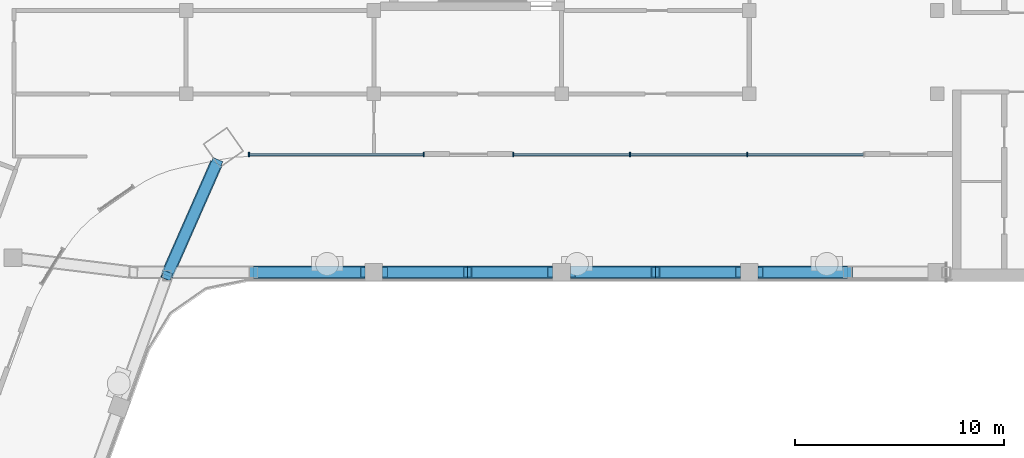
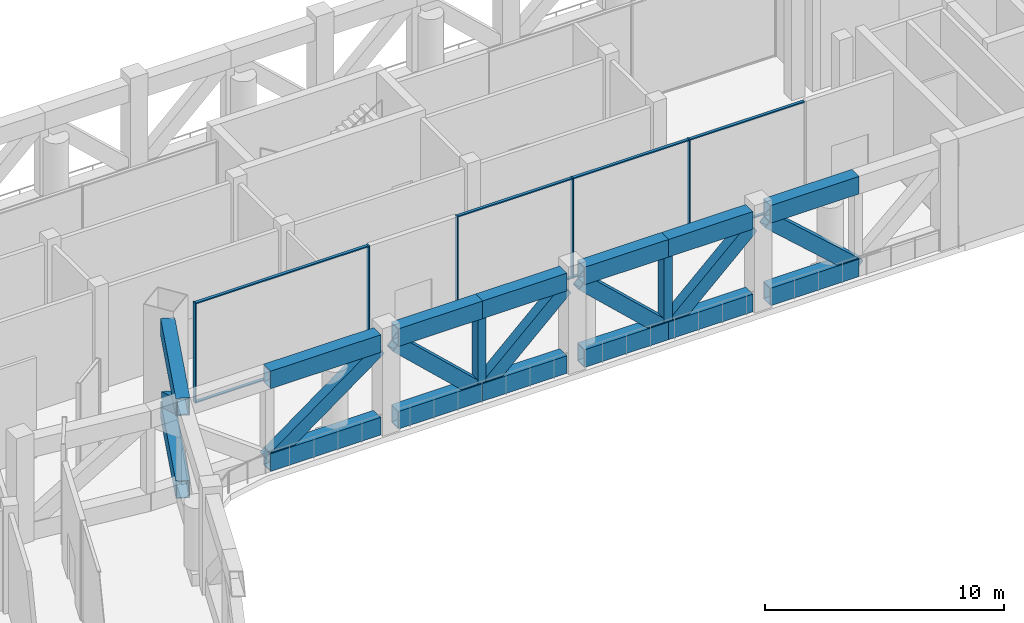
# One storey, part 4 of 19: 36 members, 2 elements without a shape of their own.
"""IFC4 building model written with IfcOpenShell, lengths in metres."""

import ifcopenshell
import ifcopenshell.guid

model = None  # the IFC model being written
_history = None  # IfcOwnerHistory: only IFC2X3 demands one
_inside = {}  # id of a spatial element -> (the spatial element, [elements in it])
_under = {}  # id of a project, library or spatial element -> (it, [spatial elements below it])
_declared = {}  # id of a project -> (the project, [libraries it declares])
_typed = {}  # id of a type object -> (the type object, [elements of that type])
_made_of = {}  # id of a material, layer set ... -> (it, [elements and type objects made of it])


def new_model(schema):
    """Start an empty IFC model of exactly this schema.

    Asked for "IFC4X3", IfcOpenShell would pick the latest addendum, in which some entities
    have other attributes; the version numbers below select the first issue.
    IFC2X3 requires an IfcOwnerHistory on every rooted entity: one is made here for all.
    """
    global model, _history
    if schema == "IFC4X3":
        model = ifcopenshell.file(schema_version=(4, 3, 0, 0))
    else:
        model = ifcopenshell.file(schema=schema)
    _inside.clear()
    _under.clear()
    _declared.clear()
    _typed.clear()
    _made_of.clear()
    _history = None
    if model.schema == "IFC2X3":
        org = make("IfcOrganization", Name="unknown")
        user = make(
            "IfcPersonAndOrganization",
            ThePerson=make("IfcPerson", FamilyName="unknown"),
            TheOrganization=org,
        )
        app = make(
            "IfcApplication",
            ApplicationDeveloper=org,
            Version="unknown",
            ApplicationFullName="unknown",
            ApplicationIdentifier="unknown",
        )
        _history = make(
            "IfcOwnerHistory",
            OwningUser=user,
            OwningApplication=app,
            ChangeAction="ADDED",
            CreationDate=0,
        )
    return model


def make(cls, **values):
    """One entity of the class cls with the attributes given. An attribute that is None is left unset."""
    return model.create_entity(
        cls, **{name: value for name, value in values.items() if value is not None}
    )


def rooted(cls, **values):
    """An entity with a GlobalId (a new one), such as an element, a storey or a relation."""
    return make(cls, GlobalId=ifcopenshell.guid.new(), OwnerHistory=_history, **values)


def si_unit(unit_type, name, prefix=None):
    """IfcSIUnit, for example si_unit("LENGTHUNIT", "METRE", prefix="MILLI")."""
    return make("IfcSIUnit", UnitType=unit_type, Prefix=prefix, Name=name)


def assignment(units):
    """IfcUnitAssignment: the units of a project."""
    return None if units is None else make("IfcUnitAssignment", Units=units)


def point(xyz):
    """IfcCartesianPoint."""
    return None if xyz is None else make("IfcCartesianPoint", Coordinates=xyz)


def direction(xyz):
    """IfcDirection."""
    return None if xyz is None else make("IfcDirection", DirectionRatios=xyz)


def frame(location, z_axis=None, x_axis=None):
    """IfcAxis2Placement3D, a coordinate frame: its origin and axes. An axis left out is left unset."""
    return make(
        "IfcAxis2Placement3D",
        Location=point(location),
        Axis=direction(z_axis),
        RefDirection=direction(x_axis),
    )


def frame_2d(location, x_axis=None):
    """IfcAxis2Placement2D, a coordinate frame in the plane: its origin and x axis."""
    return make(
        "IfcAxis2Placement2D", Location=point(location), RefDirection=direction(x_axis)
    )


def origin():
    """The frame at (0, 0, 0) with its axes left unset."""
    return frame((0.0, 0.0, 0.0))


def origin_2d():
    """The frame at (0, 0) in the plane with its x axis left unset."""
    return frame_2d((0.0, 0.0))


def place(relative_to, where):
    """IfcLocalPlacement: puts the frame where relative to a parent placement (None: the world)."""
    return make(
        "IfcLocalPlacement", PlacementRelTo=relative_to, RelativePlacement=where
    )


def context(
    kind, dimensions, precision=None, world=None, true_north=None, identifier=None
):
    """IfcGeometricRepresentationContext, for example the 3D "Model" context."""
    return make(
        "IfcGeometricRepresentationContext",
        ContextIdentifier=identifier,
        ContextType=kind,
        CoordinateSpaceDimension=dimensions,
        Precision=precision,
        WorldCoordinateSystem=world,
        TrueNorth=true_north,
    )


def subcontext(parent, identifier, kind, view, scale=None):
    """IfcGeometricRepresentationSubContext, for example "Body" below "Model"."""
    return make(
        "IfcGeometricRepresentationSubContext",
        ContextIdentifier=identifier,
        ContextType=kind,
        ParentContext=parent,
        TargetScale=scale,
        TargetView=view,
    )


def project(units=None, contexts=None):
    """IfcProject with its units and contexts."""
    return rooted(
        "IfcProject",
        Name="project",
        RepresentationContexts=contexts,
        UnitsInContext=assignment(units),
    )


def spatial(cls, under=None, at=None, **own):
    """A site, building, storey or space (cls), placed at a placement, below another one or the project."""
    s = rooted(cls, ObjectPlacement=at, **own)
    if under is not None:
        _under.setdefault(under.id(), (under, []))[1].append(s)
    return s


def profile(cls, at=None, kind="AREA", **sizes):
    """A parametric profile (cls). Its sizes go by their IFC names, for example OverallWidth=200.0."""
    return make(cls, ProfileType=kind, Position=at, **sizes)


def rectangle(**sizes):
    """IfcRectangleProfileDef."""
    return profile("IfcRectangleProfileDef", **sizes)


def hollow_rectangle(**sizes):
    """IfcRectangleHollowProfileDef."""
    return profile("IfcRectangleHollowProfileDef", **sizes)


def extrude(swept, where, along, depth):
    """IfcExtrudedAreaSolid: the profile swept, set in the frame where, extruded along a direction by depth."""
    return make(
        "IfcExtrudedAreaSolid",
        SweptArea=swept,
        Position=where,
        ExtrudedDirection=direction(along),
        Depth=depth,
    )


def shape(context_of_items, identifier, shape_type, items):
    """IfcShapeRepresentation: the items that make up one representation, for example the "Body"."""
    return make(
        "IfcShapeRepresentation",
        ContextOfItems=context_of_items,
        RepresentationIdentifier=identifier,
        RepresentationType=shape_type,
        Items=items,
    )


def material(Name=None, Category=None):
    """IfcMaterial."""
    return make("IfcMaterial", Name=Name, Category=Category)


def material_profile(
    of_material, cross_section, Name=None, Category=None, Priority=None
):
    """IfcMaterialProfile: a cross section and its material."""
    return make(
        "IfcMaterialProfile",
        Name=Name,
        Material=of_material,
        Profile=cross_section,
        Priority=Priority,
        Category=Category,
    )


def profile_set(profiles, Name=None, composite=None):
    """IfcMaterialProfileSet."""
    return make(
        "IfcMaterialProfileSet",
        Name=Name,
        MaterialProfiles=profiles,
        CompositeProfile=composite,
    )


def made_of(thing, what):
    """Note that an element or type object is made of a material, layer set ...; save() writes the relation."""
    if what is not None:
        _made_of.setdefault(what.id(), (what, []))[1].append(thing)
    return thing


def type_object(cls, material=None, **own):
    """A type object (cls), such as IfcWallType, which elements share."""
    return made_of(rooted(cls, **own), material)


def element(
    cls,
    number,
    at=None,
    inside=None,
    cuts=None,
    type_object=None,
    material=None,
    context=None,
    identifier="Body",
    shape_type=None,
    held_by="IfcProductDefinitionShape",
    body=None,
    shapes=None,
    **own,
):
    """One element of the class cls, such as IfcWall. Its Tag is "e" and its number.

    at: its placement. inside: the storey or other place that contains it. cuts: it is an
    opening in that element (IfcRelVoidsElement). A single representation is given by context,
    identifier, shape_type and body (its items); several are given by shapes. held_by: the class
    of the entity that holds the representations. save() writes the other relations.
    """
    e = rooted(cls, Tag="e%d" % number, ObjectPlacement=at, **own)
    if body is not None:
        shapes = [shape(context, identifier, shape_type, body)]
    if shapes is not None:
        e.Representation = make(held_by, Representations=shapes)
    if inside is not None:
        _inside.setdefault(inside.id(), (inside, []))[1].append(e)
    if cuts is not None:
        rooted(
            "IfcRelVoidsElement", RelatingBuildingElement=cuts, RelatedOpeningElement=e
        )
    if type_object is not None:
        _typed.setdefault(type_object.id(), (type_object, []))[1].append(e)
    return made_of(e, material)


def aggregate(whole, parts):
    """IfcRelAggregates: a whole, such as a stair, and the parts it consists of."""
    return rooted("IfcRelAggregates", RelatingObject=whole, RelatedObjects=parts)


def save(model, path):
    """Write the relations noted so far, then the file.

    IfcRelAggregates (storeys below a building ...), IfcRelContainedInSpatialStructure (elements
    in a storey), IfcRelDefinesByType, IfcRelAssociatesMaterial and IfcRelDeclares: one each for
    every whole, place, type object, material and project.
    """
    for whole, parts in _under.values():
        aggregate(whole, parts)
    for where, things in _inside.values():
        rooted(
            "IfcRelContainedInSpatialStructure",
            RelatedElements=things,
            RelatingStructure=where,
        )
    for kind, things in _typed.values():
        rooted("IfcRelDefinesByType", RelatedObjects=things, RelatingType=kind)
    for what, things in _made_of.values():
        rooted("IfcRelAssociatesMaterial", RelatedObjects=things, RelatingMaterial=what)
    for by, libraries in _declared.values():
        rooted("IfcRelDeclares", RelatingContext=by, RelatedDefinitions=libraries)
    model.write(path)


model = new_model("IFC4")

# Units and contexts
model_context = context("Model", 3, precision=1e-05, world=origin(), true_north=direction((0.0, 1.0)))
body_context = subcontext(model_context, "Body", "Model", "MODEL_VIEW")
ifc_project = project(units=[si_unit("LENGTHUNIT", "METRE"), si_unit("AREAUNIT", "SQUARE_METRE"), si_unit("VOLUMEUNIT", "CUBIC_METRE"), si_unit("PLANEANGLEUNIT", "RADIAN"), si_unit("MASSUNIT", "GRAM", prefix="KILO")], contexts=[model_context])

# Site, building, storey
site_placement = place(None, origin())
site = spatial("IfcSite", under=ifc_project, at=site_placement, CompositionType="ELEMENT")
building_placement = place(site_placement, origin())
building = spatial("IfcBuilding", under=site, at=building_placement, Name="Skarvind Civic Tower", CompositionType="ELEMENT")
storey_placement = place(building_placement, frame((0.0, 0.0, 129.0)))
storey = spatial("IfcBuildingStorey", under=building, at=storey_placement, Name="L30", CompositionType="ELEMENT", Elevation=129.0)

# Curtain wall, members
ifc_material_1 = material(Name="Aluminium alloy 6063 and laminated glass", Category="aluminium")
curtain_wall_type = type_object("IfcCurtainWallType", Name="CW3 SEPARATOR INNER GLAZING", PredefinedType="NOTDEFINED", material=ifc_material_1)
curtain_wall_1_placement = place(storey_placement, origin())
curtain_wall_1 = element("IfcCurtainWall", 1, at=curtain_wall_1_placement, inside=storey, type_object=curtain_wall_type, Name="SEPARATOR INNER GLAZING", PredefinedType="NOTDEFINED")
ifc_material_2 = material(Name="Aluminium alloy 6063", Category="aluminium")
ifc_material_profile_1 = material_profile(ifc_material_2, rectangle(XDim=0.199951171875, YDim=0.06005859375, at=origin_2d()), Name="AL 60x200")
ifc_profile_set_1 = profile_set([ifc_material_profile_1], Name="Aluminium alloy 6063")
member_type_1 = type_object("IfcMemberType", Name="CW3 MULLION 60x200", PredefinedType="MULLION", material=ifc_profile_set_1)
member_1_placement = place(storey_placement, frame((81.15185546875, 123.10009765625, 0.0), z_axis=(0.0, 0.0, 1.0), x_axis=(0.0, -1.0, 0.0)))
member_1 = element("IfcMember", 2, at=member_1_placement, type_object=member_type_1, Name="CW3 mullion 2", PredefinedType="MULLION", context=body_context, shape_type="SweptSolid", body=[
    extrude(rectangle(XDim=0.199951171875, YDim=0.06005859375, at=origin_2d()), origin(), (0.0, 0.0, 1.0), 5.125),
])
member_2_placement = place(storey_placement, frame((75.5244140625, 123.10009765625, 0.0), z_axis=(0.0, 0.0, 1.0), x_axis=(0.0, -1.0, 0.0)))
member_2 = element("IfcMember", 3, at=member_2_placement, type_object=member_type_1, Name="CW3 mullion 3", PredefinedType="MULLION", context=body_context, shape_type="SweptSolid", body=[
    extrude(rectangle(XDim=0.199951171875, YDim=0.06005859375, at=origin_2d()), origin(), (0.0, 0.0, 1.0), 5.125),
])
member_3_placement = place(storey_placement, frame((69.927001953125, 123.10009765625, 0.0), z_axis=(0.0, 0.0, 1.0), x_axis=(0.0, -1.0, 0.0)))
member_3 = element("IfcMember", 4, at=member_3_placement, type_object=member_type_1, Name="CW3 mullion 4", PredefinedType="MULLION", context=body_context, shape_type="SweptSolid", body=[
    extrude(rectangle(XDim=0.199951171875, YDim=0.06005859375, at=origin_2d()), origin(), (0.0, 0.0, 1.0), 5.125),
])

curtain_wall_2_placement = place(storey_placement, origin())
curtain_wall_2 = element("IfcCurtainWall", 5, at=curtain_wall_2_placement, inside=storey, type_object=curtain_wall_type, Name="SEPARATOR INNER GLAZING", PredefinedType="NOTDEFINED")
member_4_placement = place(storey_placement, frame((65.646240234375, 123.10009765625, 0.0), z_axis=(0.0, 0.0, 1.0), x_axis=(0.0, -1.0, 0.0)))
member_4 = element("IfcMember", 6, at=member_4_placement, type_object=member_type_1, Name="CW3 mullion 1", PredefinedType="MULLION", context=body_context, shape_type="SweptSolid", body=[
    extrude(rectangle(XDim=0.199951171875, YDim=0.06005859375, at=origin_2d()), origin(), (0.0, 0.0, 1.0), 5.125),
])
member_5_placement = place(storey_placement, frame((57.26513671875, 123.10009765625, 0.0), z_axis=(0.0, 0.0, 1.0), x_axis=(0.0, -1.0, 0.0)))
member_5 = element("IfcMember", 7, at=member_5_placement, type_object=member_type_1, Name="CW3 mullion 2", PredefinedType="MULLION", context=body_context, shape_type="SweptSolid", body=[
    extrude(rectangle(XDim=0.199951171875, YDim=0.06005859375, at=origin_2d()), origin(), (0.0, 0.0, 1.0), 5.125),
])

# Member
ifc_material_profile_2 = material_profile(ifc_material_2, rectangle(XDim=0.139892578125, YDim=0.06005859375, at=origin_2d()), Name="AL 60x140")
ifc_profile_set_2 = profile_set([ifc_material_profile_2], Name="Aluminium alloy 6063")
member_type_2 = type_object("IfcMemberType", Name="CW3 TRANSOM 60x140", PredefinedType="USERDEFINED", material=ifc_profile_set_2)
member_6_placement = place(storey_placement, frame((86.719482421875, 123.10009765625, 0.030029296875), z_axis=(-1.0, 0.0, 0.0), x_axis=(0.0, -1.0, 0.0)))
member_6 = element("IfcMember", 8, at=member_6_placement, type_object=member_type_2, Name="CW3 transom 1.1", ObjectType="TRANSOM", PredefinedType="USERDEFINED", context=body_context, shape_type="SweptSolid", body=[
    extrude(rectangle(XDim=0.139892578125, YDim=0.06005859375, at=origin_2d()), origin(), (0.0, 0.0, 1.0), 5.53759765625),
])

member_7_placement = place(storey_placement, frame((86.719482421875, 123.10009765625, 5.094970703125), z_axis=(-1.0, 0.0, 0.0), x_axis=(0.0, -1.0, 0.0)))
member_7 = element("IfcMember", 9, at=member_7_placement, type_object=member_type_2, Name="CW3 transom 1.2", ObjectType="TRANSOM", PredefinedType="USERDEFINED", context=body_context, shape_type="SweptSolid", body=[
    extrude(rectangle(XDim=0.139892578125, YDim=0.06005859375, at=origin_2d()), origin(), (0.0, 0.0, 1.0), 5.53759765625),
])

member_8_placement = place(storey_placement, frame((81.121826171875, 123.10009765625, 0.030029296875), z_axis=(-1.0, 0.0, 0.0), x_axis=(0.0, -1.0, 0.0)))
member_8 = element("IfcMember", 10, at=member_8_placement, type_object=member_type_2, Name="CW3 transom 2.1", ObjectType="TRANSOM", PredefinedType="USERDEFINED", context=body_context, shape_type="SweptSolid", body=[
    extrude(rectangle(XDim=0.139892578125, YDim=0.06005859375, at=origin_2d()), origin(), (0.0, 0.0, 1.0), 5.5673828125),
])

member_9_placement = place(storey_placement, frame((81.121826171875, 123.10009765625, 5.094970703125), z_axis=(-1.0, 0.0, 0.0), x_axis=(0.0, -1.0, 0.0)))
member_9 = element("IfcMember", 11, at=member_9_placement, type_object=member_type_2, Name="CW3 transom 2.2", ObjectType="TRANSOM", PredefinedType="USERDEFINED", context=body_context, shape_type="SweptSolid", body=[
    extrude(rectangle(XDim=0.139892578125, YDim=0.06005859375, at=origin_2d()), origin(), (0.0, 0.0, 1.0), 5.5673828125),
])

member_10_placement = place(storey_placement, frame((75.494384765625, 123.10009765625, 0.030029296875), z_axis=(-1.0, 0.0, 0.0), x_axis=(0.0, -1.0, 0.0)))
member_10 = element("IfcMember", 12, at=member_10_placement, type_object=member_type_2, Name="CW3 transom 3.1", ObjectType="TRANSOM", PredefinedType="USERDEFINED", context=body_context, shape_type="SweptSolid", body=[
    extrude(rectangle(XDim=0.139892578125, YDim=0.06005859375, at=origin_2d()), origin(), (0.0, 0.0, 1.0), 5.53759765625),
])

member_11_placement = place(storey_placement, frame((75.494384765625, 123.10009765625, 5.094970703125), z_axis=(-1.0, 0.0, 0.0), x_axis=(0.0, -1.0, 0.0)))
member_11 = element("IfcMember", 13, at=member_11_placement, type_object=member_type_2, Name="CW3 transom 3.2", ObjectType="TRANSOM", PredefinedType="USERDEFINED", context=body_context, shape_type="SweptSolid", body=[
    extrude(rectangle(XDim=0.139892578125, YDim=0.06005859375, at=origin_2d()), origin(), (0.0, 0.0, 1.0), 5.53759765625),
])

aggregate(curtain_wall_1, [member_1, member_2, member_3, member_6, member_7, member_8, member_9, member_10, member_11])

member_12_placement = place(storey_placement, frame((65.6162109375, 123.10009765625, 0.030029296875), z_axis=(-1.0, 0.0, 0.0), x_axis=(0.0, -1.0, 0.0)))
member_12 = element("IfcMember", 14, at=member_12_placement, type_object=member_type_2, Name="CW3 transom 1.1", ObjectType="TRANSOM", PredefinedType="USERDEFINED", context=body_context, shape_type="SweptSolid", body=[
    extrude(rectangle(XDim=0.139892578125, YDim=0.06005859375, at=origin_2d()), origin(), (0.0, 0.0, 1.0), 8.321044921875),
])

member_13_placement = place(storey_placement, frame((65.6162109375, 123.10009765625, 5.094970703125), z_axis=(-1.0, 0.0, 0.0), x_axis=(0.0, -1.0, 0.0)))
member_13 = element("IfcMember", 15, at=member_13_placement, type_object=member_type_2, Name="CW3 transom 1.2", ObjectType="TRANSOM", PredefinedType="USERDEFINED", context=body_context, shape_type="SweptSolid", body=[
    extrude(rectangle(XDim=0.139892578125, YDim=0.06005859375, at=origin_2d()), origin(), (0.0, 0.0, 1.0), 8.321044921875),
])

aggregate(curtain_wall_2, [member_4, member_5, member_12, member_13])

# Members
ifc_material_3 = material(Name="Steel SM355", Category="steel")
ifc_material_profile_3 = material_profile(ifc_material_3, hollow_rectangle(XDim=0.60009765625, YDim=0.89990234375, WallThickness=0.0400390625, at=origin_2d()), Name="BOX-900x600x40")
ifc_profile_set_3 = profile_set([ifc_material_profile_3], Name="Steel SM355")
member_type_3 = type_object("IfcMemberType", Name="Truss chord BOX-900x600x40 SM355", PredefinedType="CHORD", material=ifc_profile_set_3)
for number, where, z_axis, x_axis, name in (
    (16, (57.48388671875, 117.449951171875, 0.449951171875), (1.0, 0.0, 0.0), (0.0, 1.0, 0.0), "Outrigger truss L30 W1S chord"),
    (17, (57.48388671875, 117.449951171875, 4.675048828125), (1.0, 0.0, 0.0), (0.0, 1.0, 0.0), "Outrigger truss L30 W1S chord"),
):
    element("IfcMember", number, at=place(storey_placement, frame(where, z_axis=z_axis, x_axis=x_axis)), inside=storey, type_object=member_type_3, Name=name, PredefinedType="CHORD", context=body_context, shape_type="SweptSolid", body=[
        extrude(hollow_rectangle(XDim=0.60009765625, YDim=0.89990234375, WallThickness=0.0400390625, at=origin_2d()), origin(), (0.0, 0.0, 1.0), 5.341064453125),
    ])
for number, where, z_axis, x_axis, name in (
    (18, (63.675048828125, 117.449951171875, 0.449951171875), (1.0, 0.0, 0.0), (0.0, 1.0, 0.0), "Outrigger truss L30 W1S chord"),
    (19, (63.675048828125, 117.449951171875, 4.675048828125), (1.0, 0.0, 0.0), (0.0, 1.0, 0.0), "Outrigger truss L30 W1S chord"),
    (20, (67.75, 117.449951171875, 0.449951171875), (1.0, 0.0, 0.0), (0.0, 1.0, 0.0), "Outrigger truss L30 W1S chord"),
    (21, (67.75, 117.449951171875, 4.675048828125), (1.0, 0.0, 0.0), (0.0, 1.0, 0.0), "Outrigger truss L30 W1S chord"),
    (22, (72.675048828125, 117.449951171875, 0.449951171875), (1.0, 0.0, 0.0), (0.0, 1.0, 0.0), "Outrigger truss L30 W1S chord"),
    (23, (72.675048828125, 117.449951171875, 4.675048828125), (1.0, 0.0, 0.0), (0.0, 1.0, 0.0), "Outrigger truss L30 W1S chord"),
    (24, (76.75, 117.449951171875, 0.449951171875), (1.0, 0.0, 0.0), (0.0, 1.0, 0.0), "Outrigger truss L30 W1S chord"),
    (25, (76.75, 117.449951171875, 4.675048828125), (1.0, 0.0, 0.0), (0.0, 1.0, 0.0), "Outrigger truss L30 W1S chord"),
):
    element("IfcMember", number, at=place(storey_placement, frame(where, z_axis=z_axis, x_axis=x_axis)), inside=storey, type_object=member_type_3, Name=name, PredefinedType="CHORD", context=body_context, shape_type="SweptSolid", body=[
        extrude(hollow_rectangle(XDim=0.60009765625, YDim=0.89990234375, WallThickness=0.0400390625, at=origin_2d()), origin(), (0.0, 0.0, 1.0), 4.074951171875),
    ])
for number, where, z_axis, x_axis, name in (
    (26, (81.675048828125, 117.449951171875, 0.449951171875), (1.0, 0.0, 0.0), (0.0, 1.0, 0.0), "Outrigger truss L30 W1S chord"),
    (27, (81.675048828125, 117.449951171875, 4.675048828125), (1.0, 0.0, 0.0), (0.0, 1.0, 0.0), "Outrigger truss L30 W1S chord"),
):
    element("IfcMember", number, at=place(storey_placement, frame(where, z_axis=z_axis, x_axis=x_axis)), inside=storey, type_object=member_type_3, Name=name, PredefinedType="CHORD", context=body_context, shape_type="SweptSolid", body=[
        extrude(hollow_rectangle(XDim=0.60009765625, YDim=0.89990234375, WallThickness=0.0400390625, at=origin_2d()), origin(), (0.0, 0.0, 1.0), 4.287353515625),
    ])
for number, where, z_axis, x_axis, name in (
    (28, (55.7060546875, 122.68115234375, 0.449951171875), (-0.40345243765, -0.915000617789, 0.0), (0.915000617789, -0.40345243765, 0.0), "Outrigger truss L30 W2N chord"),
    (29, (55.7060546875, 122.68115234375, 4.675048828125), (-0.40345243765, -0.915000617789, 0.0), (0.915000617789, -0.40345243765, 0.0), "Outrigger truss L30 W2N chord"),
):
    element("IfcMember", number, at=place(storey_placement, frame(where, z_axis=z_axis, x_axis=x_axis)), inside=storey, type_object=member_type_3, Name=name, PredefinedType="CHORD", context=body_context, shape_type="SweptSolid", body=[
        extrude(hollow_rectangle(XDim=0.60009765625, YDim=0.89990234375, WallThickness=0.0400390625, at=origin_2d()), origin(), (0.0, 0.0, 1.0), 5.890380859375),
    ])
ifc_material_profile_4 = material_profile(ifc_material_3, hollow_rectangle(XDim=0.5, YDim=0.699951171875, WallThickness=0.028076171875, at=origin_2d()), Name="BOX-700x500x28")
ifc_profile_set_4 = profile_set([ifc_material_profile_4], Name="Steel SM355")
member_type_4 = type_object("IfcMemberType", Name="Truss diagonal BOX-700x500x28 SM355", PredefinedType="BRACE", material=ifc_profile_set_4)
member_14_placement = place(storey_placement, frame((57.48388671875, 117.449951171875, 0.449951171875), z_axis=(0.806635860233, 0.0, 0.591048719639), x_axis=(0.0, 1.0, 0.0)))
element("IfcMember", 30, at=member_14_placement, inside=storey, type_object=member_type_4, Name="Outrigger truss L30 W1S diagonal", PredefinedType="BRACE", context=body_context, shape_type="SweptSolid", body=[
    extrude(hollow_rectangle(XDim=0.5, YDim=0.699951171875, WallThickness=0.028076171875, at=origin_2d()), origin(), (0.0, 0.0, 1.0), 6.621337890625),
])
for number, where, z_axis, x_axis, name in (
    (31, (63.675048828125, 117.449951171875, 4.27587890625), (0.72903166448, 0.0, -0.684479972085), (0.0, 1.0, 0.0), "Outrigger truss L30 W1S diagonal"),
    (32, (67.75, 117.449951171875, 0.449951171875), (0.72903166448, 0.0, 0.684479972085), (0.0, 1.0, 0.0), "Outrigger truss L30 W1S diagonal"),
    (33, (72.675048828125, 117.449951171875, 4.27587890625), (0.72903166448, 0.0, -0.684479972085), (0.0, 1.0, 0.0), "Outrigger truss L30 W1S diagonal"),
    (34, (76.75, 117.449951171875, 0.449951171875), (0.72903166448, 0.0, 0.684479972085), (0.0, 1.0, 0.0), "Outrigger truss L30 W1S diagonal"),
):
    element("IfcMember", number, at=place(storey_placement, frame(where, z_axis=z_axis, x_axis=x_axis)), inside=storey, type_object=member_type_4, Name=name, PredefinedType="BRACE", context=body_context, shape_type="SweptSolid", body=[
        extrude(hollow_rectangle(XDim=0.5, YDim=0.699951171875, WallThickness=0.028076171875, at=origin_2d()), origin(), (0.0, 0.0, 1.0), 5.589599609375),
    ])
member_15_placement = place(storey_placement, frame((81.675048828125, 117.449951171875, 4.2939453125), z_axis=(0.744555633807, 0.0, -0.667560415368), x_axis=(0.0, 1.0, 0.0)))
element("IfcMember", 35, at=member_15_placement, inside=storey, type_object=member_type_4, Name="Outrigger truss L30 W1S diagonal", PredefinedType="BRACE", context=body_context, shape_type="SweptSolid", body=[
    extrude(hollow_rectangle(XDim=0.5, YDim=0.699951171875, WallThickness=0.028076171875, at=origin_2d()), origin(), (0.0, 0.0, 1.0), 5.75830078125),
])
member_16_placement = place(storey_placement, frame((55.7060546875, 122.68115234375, 0.96533203125), z_axis=(-0.341388687156, -0.774244571363, 0.532915666872), x_axis=(0.915000617789, -0.40345243765, 0.0)))
element("IfcMember", 36, at=member_16_placement, inside=storey, type_object=member_type_4, Name="Outrigger truss L30 W2N diagonal", PredefinedType="BRACE", context=body_context, shape_type="SweptSolid", body=[
    extrude(hollow_rectangle(XDim=0.5, YDim=0.699951171875, WallThickness=0.028076171875, at=origin_2d()), origin(), (0.0, 0.0, 1.0), 6.961181640625),
])
ifc_material_profile_5 = material_profile(ifc_material_3, hollow_rectangle(XDim=0.39990234375, YDim=0.5, WallThickness=0.02001953125, at=origin_2d()), Name="BOX-500x400x20")
ifc_profile_set_5 = profile_set([ifc_material_profile_5], Name="Steel SM355")
member_type_5 = type_object("IfcMemberType", Name="Truss post BOX-500x400x20 SM355", PredefinedType="POST", material=ifc_profile_set_5)
for number, where, z_axis, x_axis, name in (
    (37, (67.75, 117.449951171875, 0.449951171875), (0.0, 0.0, 1.0), (1.0, 0.0, 0.0), "Outrigger truss L30 W1S post"),
    (38, (76.75, 117.449951171875, 0.449951171875), (0.0, 0.0, 1.0), (1.0, 0.0, 0.0), "Outrigger truss L30 W1S post"),
):
    element("IfcMember", number, at=place(storey_placement, frame(where, z_axis=z_axis, x_axis=x_axis)), inside=storey, type_object=member_type_5, Name=name, PredefinedType="POST", context=body_context, shape_type="SweptSolid", body=[
        extrude(hollow_rectangle(XDim=0.39990234375, YDim=0.5, WallThickness=0.02001953125, at=origin_2d()), origin(), (0.0, 0.0, 1.0), 4.22509765625),
    ])

save(model, "model.ifc")
